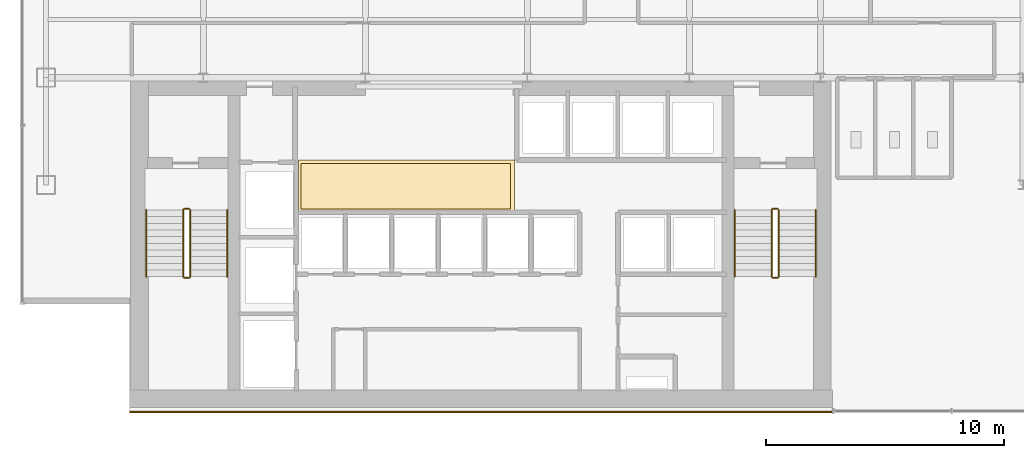
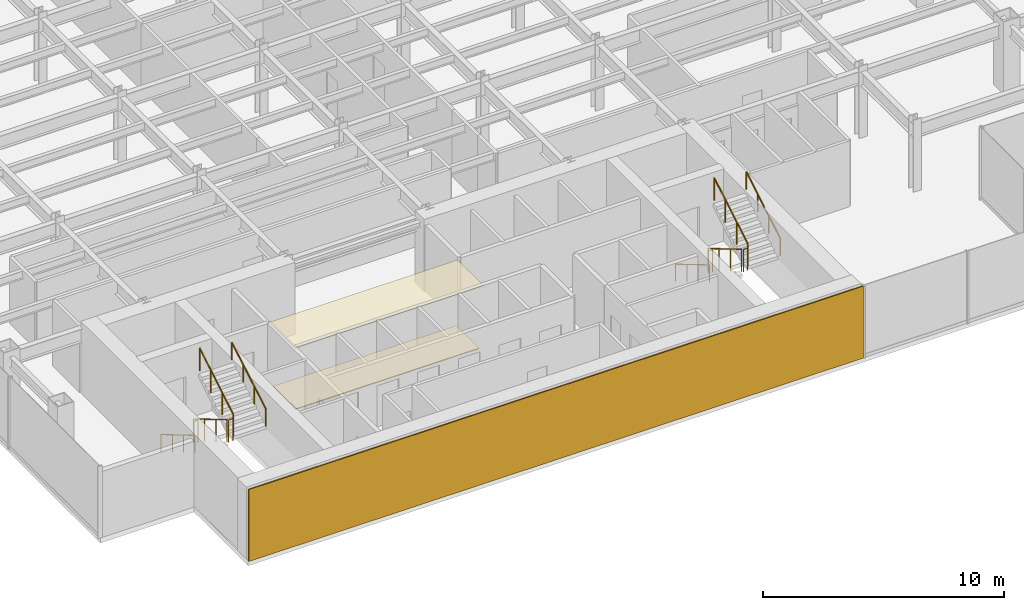
# One storey, part 24 of 26: 12 railings, 3 coverings.
"""IFC4 building model written with IfcOpenShell, lengths in metres."""

from ifc_helpers import new_model, si_unit, derived_unit, direction, frame, origin, origin_2d, place, context, subcontext, project, spatial, polyline, rectangle, circle, outline, extrude, source, transform, mapped, material, layer, layer_set, type_object, element, save


model = new_model("IFC4")

# Units and contexts
model_context = context("Model", 3, precision=1e-05, world=origin(), true_north=direction((0.0, 1.0)))
body_context = subcontext(model_context, "Body", "Model", "MODEL_VIEW")
ifc_project = project(units=[si_unit("LENGTHUNIT", "METRE"), si_unit("AREAUNIT", "SQUARE_METRE"), si_unit("VOLUMEUNIT", "CUBIC_METRE"), si_unit("PLANEANGLEUNIT", "RADIAN"), si_unit("MASSUNIT", "GRAM", prefix="KILO"), derived_unit("THERMALTRANSMITTANCEUNIT", [(si_unit("POWERUNIT", "WATT"), 1), (si_unit("LENGTHUNIT", "METRE"), -2), (si_unit("THERMODYNAMICTEMPERATUREUNIT", "KELVIN"), -1)])], contexts=[model_context])

# Site, building, storey
site_placement = place(None, origin())
site = spatial("IfcSite", under=ifc_project, at=site_placement, CompositionType="ELEMENT")
building_placement = place(site_placement, origin())
building = spatial("IfcBuilding", under=site, at=building_placement, Name="Skarnbrae Concourse Arena and Tower", CompositionType="ELEMENT")
storey_placement = place(building_placement, frame((0.0, 0.0, 132.449951171875)))
storey = spatial("IfcBuildingStorey", under=building, at=storey_placement, Name="L33", CompositionType="ELEMENT", Elevation=132.449951171875)

# Coverings
ifc_material_1 = material(Name="Mineral fibre acoustic ceiling tile", Category="other")
ifc_layer_1 = layer(ifc_material_1, 0.0400390625)
ifc_layer_set_1 = layer_set([ifc_layer_1], Name="Mineral fibre acoustic ceiling tile")
covering_type_1 = type_object("IfcCoveringType", Name="COV-CEIL-ACOUSTIC", PredefinedType="CEILING", material=ifc_layer_set_1)
covering_1_placement = place(storey_placement, frame((0.0, 0.0, 3.18994140625)))
element("IfcCovering", 1, at=covering_1_placement, inside=storey, type_object=covering_type_1, Name="L33 Lift lobby acoustic ceiling", PredefinedType="CEILING", context=body_context, shape_type="SweptSolid", body=[
    extrude(outline(polyline([(11.60009765625, 8.39990234375), (20.64990234375, 8.39990234375), (20.64990234375, 10.550048828125), (11.60009765625, 10.550048828125), (11.60009765625, 8.39990234375)])), origin(), (0.0, 0.0, 1.0), 0.0400390625),
])
ifc_material_2 = material(Name="Polished granite terrazzo flooring", Category="masonry")
ifc_layer_2 = layer(ifc_material_2, 0.0400390625)
ifc_layer_set_2 = layer_set([ifc_layer_2], Name="Polished granite terrazzo flooring")
covering_type_2 = type_object("IfcCoveringType", Name="COV-FLOOR-TERRAZZO", PredefinedType="FLOORING", material=ifc_layer_set_2)
covering_2_placement = place(storey_placement, origin())
element("IfcCovering", 2, at=covering_2_placement, inside=storey, type_object=covering_type_2, Name="L33 Lift lobby terrazzo flooring", PredefinedType="FLOORING", context=body_context, shape_type="SweptSolid", body=[
    extrude(outline(polyline([(11.699951171875, 8.5), (20.5, 8.5), (20.5, 10.39990234375), (11.699951171875, 10.39990234375), (11.699951171875, 8.5)])), origin(), (0.0, 0.0, 1.0), 0.0400390625),
])

# Railings
ifc_material_3 = material(Name="Steel CSA G40.21 350W", Category="steel")
railing_type_1 = type_object("IfcRailingType", Name="RAIL-HANDRAIL-900", PredefinedType="HANDRAIL", material=ifc_material_3)
railing_1_placement = place(storey_placement, frame((5.199951171875, 8.449951171875, 0.166015625)))
element("IfcRailing", 3, at=railing_1_placement, inside=storey, type_object=railing_type_1, Name="L33 ST-1 stair handrail 1", PredefinedType="HANDRAIL", context=body_context, shape_type="SweptSolid", body=[
    extrude(circle(Radius=0.02392578125, at=origin_2d()), frame((0.0, 0.0, 0.8759765625), z_axis=(0.0, -0.860339051648, 0.50972219513), x_axis=(1.0, 0.0, 0.0)), (0.0, 0.0, 1.0), 3.254638671875),
    extrude(circle(Radius=0.02099609375, at=origin_2d()), origin(), (0.0, 0.0, 1.0), 0.851806640625),
    extrude(circle(Radius=0.02099609375, at=origin_2d()), frame((0.0, -0.933349609375, 0.552978515625)), (0.0, 0.0, 1.0), 0.851806640625),
    extrude(circle(Radius=0.02099609375, at=origin_2d()), frame((0.0, -1.86669921875, 1.10595703125)), (0.0, 0.0, 1.0), 0.851806640625),
    extrude(circle(Radius=0.02099609375, at=origin_2d()), frame((0.0, -2.800048828125, 1.658935546875)), (0.0, 0.0, 1.0), 0.851806640625),
])
railing_2_placement = place(storey_placement, frame((8.60009765625, 5.64990234375, 1.990966796875)))
element("IfcRailing", 4, at=railing_2_placement, inside=storey, type_object=railing_type_1, Name="L33 ST-1 stair handrail 2", PredefinedType="HANDRAIL", context=body_context, shape_type="SweptSolid", body=[
    extrude(circle(Radius=0.02392578125, at=origin_2d()), frame((0.0, 0.0, 0.8759765625), z_axis=(0.0, 0.860306154799, 0.50977771628), x_axis=(-1.0, 0.0, 0.0)), (0.0, 0.0, 1.0), 3.254638671875),
    extrude(circle(Radius=0.02099609375, at=origin_2d()), origin(), (0.0, 0.0, 1.0), 0.851806640625),
    extrude(circle(Radius=0.02099609375, at=origin_2d()), frame((0.0, 0.933349609375, 0.552978515625)), (0.0, 0.0, 1.0), 0.851806640625),
    extrude(circle(Radius=0.02099609375, at=origin_2d()), frame((0.0, 1.86669921875, 1.106201171875)), (0.0, 0.0, 1.0), 0.851806640625),
    extrude(circle(Radius=0.02099609375, at=origin_2d()), frame((0.0, 2.800048828125, 1.6591796875)), (0.0, 0.0, 1.0), 0.851806640625),
])
railing_3_placement = place(storey_placement, frame((29.89990234375, 8.449951171875, 0.166015625)))
element("IfcRailing", 5, at=railing_3_placement, inside=storey, type_object=railing_type_1, Name="L33 ST-2 stair handrail 1", PredefinedType="HANDRAIL", context=body_context, shape_type="SweptSolid", body=[
    extrude(circle(Radius=0.02392578125, at=origin_2d()), frame((0.0, 0.0, 0.8759765625), z_axis=(0.0, -0.860339051648, 0.50972219513), x_axis=(1.0, 0.0, 0.0)), (0.0, 0.0, 1.0), 3.254638671875),
    extrude(circle(Radius=0.02099609375, at=origin_2d()), origin(), (0.0, 0.0, 1.0), 0.851806640625),
    extrude(circle(Radius=0.02099609375, at=origin_2d()), frame((0.0, -0.933349609375, 0.552978515625)), (0.0, 0.0, 1.0), 0.851806640625),
    extrude(circle(Radius=0.02099609375, at=origin_2d()), frame((0.0, -1.86669921875, 1.10595703125)), (0.0, 0.0, 1.0), 0.851806640625),
    extrude(circle(Radius=0.02099609375, at=origin_2d()), frame((0.0, -2.800048828125, 1.658935546875)), (0.0, 0.0, 1.0), 0.851806640625),
])
railing_4_placement = place(storey_placement, frame((33.300048828125, 5.64990234375, 1.990966796875)))
element("IfcRailing", 6, at=railing_4_placement, inside=storey, type_object=railing_type_1, Name="L33 ST-2 stair handrail 2", PredefinedType="HANDRAIL", context=body_context, shape_type="SweptSolid", body=[
    extrude(circle(Radius=0.02392578125, at=origin_2d()), frame((0.0, 0.0, 0.8759765625), z_axis=(0.0, 0.860306154799, 0.50977771628), x_axis=(-1.0, 0.0, 0.0)), (0.0, 0.0, 1.0), 3.254638671875),
    extrude(circle(Radius=0.02099609375, at=origin_2d()), origin(), (0.0, 0.0, 1.0), 0.851806640625),
    extrude(circle(Radius=0.02099609375, at=origin_2d()), frame((0.0, 0.933349609375, 0.552978515625)), (0.0, 0.0, 1.0), 0.851806640625),
    extrude(circle(Radius=0.02099609375, at=origin_2d()), frame((0.0, 1.86669921875, 1.106201171875)), (0.0, 0.0, 1.0), 0.851806640625),
    extrude(circle(Radius=0.02099609375, at=origin_2d()), frame((0.0, 2.800048828125, 1.6591796875)), (0.0, 0.0, 1.0), 0.851806640625),
])
railing_type_2 = type_object("IfcRailingType", Name="RAIL-STAIR-GUARD-1150", PredefinedType="GUARDRAIL", material=ifc_material_3)
railing_5_placement = place(storey_placement, frame((6.75, 8.449951171875, 0.166015625)))
element("IfcRailing", 7, at=railing_5_placement, inside=storey, type_object=railing_type_2, Name="L33 ST-1 stair guard 1", PredefinedType="GUARDRAIL", context=body_context, shape_type="SweptSolid", body=[
    extrude(circle(Radius=0.02392578125, at=origin_2d()), frame((0.0, 0.0, 1.1259765625), z_axis=(0.0, -0.860339051648, 0.50972219513), x_axis=(1.0, 0.0, 0.0)), (0.0, 0.0, 1.0), 3.254638671875),
    extrude(circle(Radius=0.02099609375, at=origin_2d()), origin(), (0.0, 0.0, 1.0), 1.101806640625),
    extrude(circle(Radius=0.02099609375, at=origin_2d()), frame((0.0, -0.933349609375, 0.552978515625)), (0.0, 0.0, 1.0), 1.101806640625),
    extrude(circle(Radius=0.02099609375, at=origin_2d()), frame((0.0, -1.86669921875, 1.10595703125)), (0.0, 0.0, 1.0), 1.101806640625),
    extrude(circle(Radius=0.02099609375, at=origin_2d()), frame((0.0, -2.800048828125, 1.658935546875)), (0.0, 0.0, 1.0), 1.101806640625),
])
railing_6_placement = place(storey_placement, frame((6.800048828125, 5.60009765625, 1.824951171875)))
element("IfcRailing", 8, at=railing_6_placement, inside=storey, type_object=railing_type_2, Name="L33 ST-1 stair guard 2", PredefinedType="GUARDRAIL", context=body_context, shape_type="SweptSolid", body=[
    extrude(circle(Radius=0.02392578125, at=origin_2d()), frame((0.0, 0.0, 1.1259765625), z_axis=(1.0, 0.0, 0.0), x_axis=(0.0, 1.0, 0.0)), (0.0, 0.0, 1.0), 0.199951171875),
    extrude(circle(Radius=0.02099609375, at=origin_2d()), origin(), (0.0, 0.0, 1.0), 1.101806640625),
    extrude(circle(Radius=0.02099609375, at=origin_2d()), frame((0.199951171875, 0.0, 0.0)), (0.0, 0.0, 1.0), 1.101806640625),
])
railing_7_placement = place(storey_placement, frame((7.050048828125, 5.64990234375, 1.990966796875)))
element("IfcRailing", 9, at=railing_7_placement, inside=storey, type_object=railing_type_2, Name="L33 ST-1 stair guard 3", PredefinedType="GUARDRAIL", context=body_context, shape_type="SweptSolid", body=[
    extrude(circle(Radius=0.02392578125, at=origin_2d()), frame((0.0, 0.0, 1.1259765625), z_axis=(0.0, 0.860306154799, 0.50977771628), x_axis=(-1.0, 0.0, 0.0)), (0.0, 0.0, 1.0), 3.254638671875),
    extrude(circle(Radius=0.02099609375, at=origin_2d()), origin(), (0.0, 0.0, 1.0), 1.101806640625),
    extrude(circle(Radius=0.02099609375, at=origin_2d()), frame((0.0, 0.933349609375, 0.552978515625)), (0.0, 0.0, 1.0), 1.101806640625),
    extrude(circle(Radius=0.02099609375, at=origin_2d()), frame((0.0, 1.86669921875, 1.106201171875)), (0.0, 0.0, 1.0), 1.101806640625),
    extrude(circle(Radius=0.02099609375, at=origin_2d()), frame((0.0, 2.800048828125, 1.6591796875)), (0.0, 0.0, 1.0), 1.101806640625),
])
railing_8_placement = place(storey_placement, frame((6.800048828125, 8.5, 0.0)))
element("IfcRailing", 10, at=railing_8_placement, inside=storey, type_object=railing_type_2, Name="L33 ST-1 stair guard 4", PredefinedType="GUARDRAIL", context=body_context, shape_type="SweptSolid", body=[
    extrude(circle(Radius=0.02392578125, at=origin_2d()), frame((0.0, 0.0, 1.1259765625), z_axis=(1.0, 0.0, 0.0), x_axis=(0.0, 1.0, 0.0)), (0.0, 0.0, 1.0), 0.199951171875),
    extrude(circle(Radius=0.02099609375, at=origin_2d()), origin(), (0.0, 0.0, 1.0), 1.101806640625),
    extrude(circle(Radius=0.02099609375, at=origin_2d()), frame((0.199951171875, 0.0, 0.0)), (0.0, 0.0, 1.0), 1.101806640625),
])
railing_9_placement = place(storey_placement, frame((31.449951171875, 8.449951171875, 0.166015625)))
element("IfcRailing", 11, at=railing_9_placement, inside=storey, type_object=railing_type_2, Name="L33 ST-2 stair guard 1", PredefinedType="GUARDRAIL", context=body_context, shape_type="SweptSolid", body=[
    extrude(circle(Radius=0.02392578125, at=origin_2d()), frame((0.0, 0.0, 1.1259765625), z_axis=(0.0, -0.860339051648, 0.50972219513), x_axis=(1.0, 0.0, 0.0)), (0.0, 0.0, 1.0), 3.254638671875),
    extrude(circle(Radius=0.02099609375, at=origin_2d()), origin(), (0.0, 0.0, 1.0), 1.101806640625),
    extrude(circle(Radius=0.02099609375, at=origin_2d()), frame((0.0, -0.933349609375, 0.552978515625)), (0.0, 0.0, 1.0), 1.101806640625),
    extrude(circle(Radius=0.02099609375, at=origin_2d()), frame((0.0, -1.86669921875, 1.10595703125)), (0.0, 0.0, 1.0), 1.101806640625),
    extrude(circle(Radius=0.02099609375, at=origin_2d()), frame((0.0, -2.800048828125, 1.658935546875)), (0.0, 0.0, 1.0), 1.101806640625),
])
railing_10_placement = place(storey_placement, frame((31.5, 5.60009765625, 1.824951171875)))
element("IfcRailing", 12, at=railing_10_placement, inside=storey, type_object=railing_type_2, Name="L33 ST-2 stair guard 2", PredefinedType="GUARDRAIL", context=body_context, shape_type="SweptSolid", body=[
    extrude(circle(Radius=0.02392578125, at=origin_2d()), frame((0.0, 0.0, 1.1259765625), z_axis=(1.0, 0.0, 0.0), x_axis=(0.0, 1.0, 0.0)), (0.0, 0.0, 1.0), 0.199951171875),
    extrude(circle(Radius=0.02099609375, at=origin_2d()), origin(), (0.0, 0.0, 1.0), 1.101806640625),
    extrude(circle(Radius=0.02099609375, at=origin_2d()), frame((0.199951171875, 0.0, 0.0)), (0.0, 0.0, 1.0), 1.101806640625),
])
railing_11_placement = place(storey_placement, frame((31.75, 5.64990234375, 1.990966796875)))
element("IfcRailing", 13, at=railing_11_placement, inside=storey, type_object=railing_type_2, Name="L33 ST-2 stair guard 3", PredefinedType="GUARDRAIL", context=body_context, shape_type="SweptSolid", body=[
    extrude(circle(Radius=0.02392578125, at=origin_2d()), frame((0.0, 0.0, 1.1259765625), z_axis=(0.0, 0.860306154799, 0.50977771628), x_axis=(-1.0, 0.0, 0.0)), (0.0, 0.0, 1.0), 3.254638671875),
    extrude(circle(Radius=0.02099609375, at=origin_2d()), origin(), (0.0, 0.0, 1.0), 1.101806640625),
    extrude(circle(Radius=0.02099609375, at=origin_2d()), frame((0.0, 0.933349609375, 0.552978515625)), (0.0, 0.0, 1.0), 1.101806640625),
    extrude(circle(Radius=0.02099609375, at=origin_2d()), frame((0.0, 1.86669921875, 1.106201171875)), (0.0, 0.0, 1.0), 1.101806640625),
    extrude(circle(Radius=0.02099609375, at=origin_2d()), frame((0.0, 2.800048828125, 1.6591796875)), (0.0, 0.0, 1.0), 1.101806640625),
])
railing_12_placement = place(storey_placement, frame((31.5, 8.5, 0.0)))
element("IfcRailing", 14, at=railing_12_placement, inside=storey, type_object=railing_type_2, Name="L33 ST-2 stair guard 4", PredefinedType="GUARDRAIL", context=body_context, shape_type="SweptSolid", body=[
    extrude(circle(Radius=0.02392578125, at=origin_2d()), frame((0.0, 0.0, 1.1259765625), z_axis=(1.0, 0.0, 0.0), x_axis=(0.0, 1.0, 0.0)), (0.0, 0.0, 1.0), 0.199951171875),
    extrude(circle(Radius=0.02099609375, at=origin_2d()), origin(), (0.0, 0.0, 1.0), 1.101806640625),
    extrude(circle(Radius=0.02099609375, at=origin_2d()), frame((0.199951171875, 0.0, 0.0)), (0.0, 0.0, 1.0), 1.101806640625),
])

# Covering
ifc_material_4 = material(Name="Bronze anodised aluminium 6063-T6", Category="aluminium")
ifc_layer_3 = layer(ifc_material_4, 0.06005859375)
ifc_layer_set_3 = layer_set([ifc_layer_3], Name="Bronze anodised aluminium 6063-T6")
covering_type_3 = type_object("IfcCoveringType", Name="COV-CLAD-BRONZE-60", PredefinedType="CLADDING", material=ifc_layer_set_3)
shared_shape = source(origin(), body_context, "Body", "SweptSolid", [
    extrude(rectangle(XDim=29.5, YDim=0.06005859375, at=origin_2d()), origin(), (0.0, 0.0, 1.0), 3.64990234375),
])
covering_3_placement = place(storey_placement, frame((19.25, -0.030029296875, 0.0), z_axis=(0.0, 0.0, 1.0), x_axis=(1.0, 0.0, 0.0)))
element("IfcCovering", 15, at=covering_3_placement, inside=storey, type_object=covering_type_3, Name="L33 Rear-core plumb spine bronze rainscreen panel", PredefinedType="CLADDING", context=body_context, shape_type="MappedRepresentation", body=[
    mapped(shared_shape, transform((0.0, 0.0, 0.0))),
])

save(model, "model.ifc")
